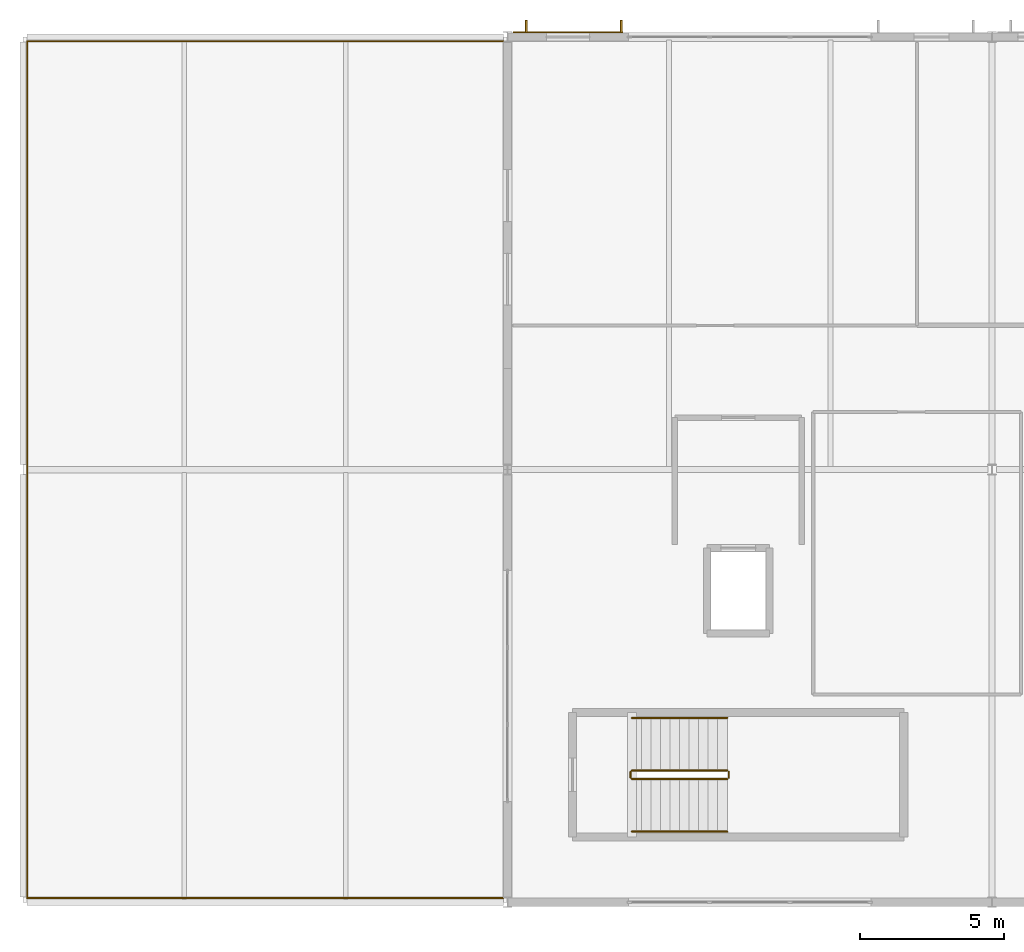
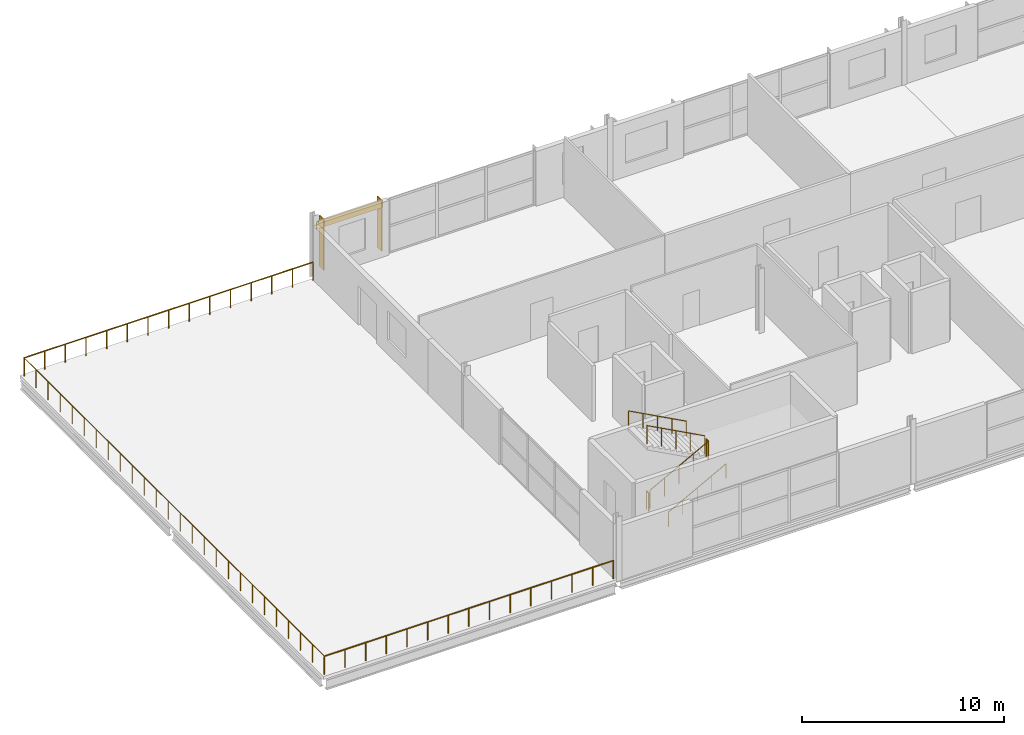
# One storey, part 16 of 18: 9 railings, 2 shading devices, 1 covering.
"""IFC4 building model written with IfcOpenShell, lengths in metres."""

from ifc_helpers import new_model, si_unit, direction, frame, origin, origin_2d, place, context, subcontext, project, spatial, rectangle, circle, extrude, material, layer, layer_set, type_object, element, save


model = new_model("IFC4")

# Units and contexts
model_context = context("Model", 3, precision=1e-05, world=origin(), true_north=direction((0.0, 1.0)))
body_context = subcontext(model_context, "Body", "Model", "MODEL_VIEW")
ifc_project = project(units=[si_unit("LENGTHUNIT", "METRE"), si_unit("AREAUNIT", "SQUARE_METRE"), si_unit("VOLUMEUNIT", "CUBIC_METRE"), si_unit("PLANEANGLEUNIT", "RADIAN"), si_unit("MASSUNIT", "GRAM", prefix="KILO")], contexts=[model_context])

# Site, building, storey
site_placement = place(None, origin())
site = spatial("IfcSite", under=ifc_project, at=site_placement, CompositionType="ELEMENT")
building_placement = place(site_placement, origin())
building = spatial("IfcBuilding", under=site, at=building_placement, Name="Kimbaza Rail Terminus", CompositionType="ELEMENT")
storey_placement = place(building_placement, frame((0.0, 0.0, 24.89990234375)))
storey = spatial("IfcBuildingStorey", under=building, at=storey_placement, Name="L05", CompositionType="ELEMENT", Elevation=24.89990234375)

# Covering
ifc_material_1 = material(Name="Champagne anodised aluminium spandrel cladding", Category="aluminium")
ifc_layer = layer(ifc_material_1, 0.034912109375)
ifc_layer_set = layer_set([ifc_layer], Name="Champagne anodised aluminium spandrel cladding")
covering_type = type_object("IfcCoveringType", Name="ARC-COV-CLD1", PredefinedType="CLADDING", material=ifc_layer_set)
covering_placement = place(storey_placement, frame((74.10009765625, 133.156005859375, 2.77490234375), z_axis=(0.0, 0.0, 1.0), x_axis=(1.0, 0.0, 0.0)))
element("IfcCovering", 1, at=covering_placement, inside=storey, type_object=covering_type, Name="North Spandrel Cladding L05 Bay 1", PredefinedType="CLADDING", context=body_context, shape_type="SweptSolid", body=[
    extrude(rectangle(XDim=3.800048828125, YDim=0.034912109375, at=origin_2d()), origin(), (0.0, 0.0, 1.0), 0.449951171875),
])

# Railings
ifc_material_2 = material(Name="Stainless steel and laminated glass balustrade", Category="steel")
railing_type_1 = type_object("IfcRailingType", Name="ARC-RL-GRD112", PredefinedType="GUARDRAIL", material=ifc_material_2)
railing_1_placement = place(storey_placement, frame((71.85009765625, 103.14990234375, 0.0)))
element("IfcRailing", 2, at=railing_1_placement, inside=storey, type_object=railing_type_1, Name="Safety Balustrade GRD-TER5-S", PredefinedType="GUARDRAIL", context=body_context, shape_type="SweptSolid", body=[
    extrude(circle(Radius=0.02392578125, at=origin_2d()), frame((0.0, 0.0, 1.09619140625), z_axis=(-1.0, 0.0, 0.0), x_axis=(0.0, -1.0, 0.0)), (0.0, 0.0, 1.0), 16.5),
    extrude(circle(Radius=0.02099609375, at=origin_2d()), origin(), (0.0, 0.0, 1.0), 1.072021484375),
    extrude(circle(Radius=0.02099609375, at=origin_2d()), frame((-1.178466796875, 0.0, 0.0)), (0.0, 0.0, 1.0), 1.072021484375),
    extrude(circle(Radius=0.02099609375, at=origin_2d()), frame((-2.357177734375, 0.0, 0.0)), (0.0, 0.0, 1.0), 1.072021484375),
    extrude(circle(Radius=0.02099609375, at=origin_2d()), frame((-3.53564453125, 0.0, 0.0)), (0.0, 0.0, 1.0), 1.072021484375),
    extrude(circle(Radius=0.02099609375, at=origin_2d()), frame((-4.71435546875, 0.0, 0.0)), (0.0, 0.0, 1.0), 1.072021484375),
    extrude(circle(Radius=0.02099609375, at=origin_2d()), frame((-5.892822265625, 0.0, 0.0)), (0.0, 0.0, 1.0), 1.072021484375),
    extrude(circle(Radius=0.02099609375, at=origin_2d()), frame((-7.071533203125, 0.0, 0.0)), (0.0, 0.0, 1.0), 1.072021484375),
    extrude(circle(Radius=0.02099609375, at=origin_2d()), frame((-8.25, 0.0, 0.0)), (0.0, 0.0, 1.0), 1.072021484375),
    extrude(circle(Radius=0.02099609375, at=origin_2d()), frame((-9.428466796875, 0.0, 0.0)), (0.0, 0.0, 1.0), 1.072021484375),
    extrude(circle(Radius=0.02099609375, at=origin_2d()), frame((-10.607177734375, 0.0, 0.0)), (0.0, 0.0, 1.0), 1.072021484375),
    extrude(circle(Radius=0.02099609375, at=origin_2d()), frame((-11.78564453125, 0.0, 0.0)), (0.0, 0.0, 1.0), 1.072021484375),
    extrude(circle(Radius=0.02099609375, at=origin_2d()), frame((-12.96435546875, 0.0, 0.0)), (0.0, 0.0, 1.0), 1.072021484375),
    extrude(circle(Radius=0.02099609375, at=origin_2d()), frame((-14.142822265625, 0.0, 0.0)), (0.0, 0.0, 1.0), 1.072021484375),
    extrude(circle(Radius=0.02099609375, at=origin_2d()), frame((-15.321533203125, 0.0, 0.0)), (0.0, 0.0, 1.0), 1.072021484375),
    extrude(circle(Radius=0.02099609375, at=origin_2d()), frame((-16.5, 0.0, 0.0)), (0.0, 0.0, 1.0), 1.072021484375),
])
railing_2_placement = place(storey_placement, frame((55.35009765625, 103.14990234375, 0.0)))
element("IfcRailing", 3, at=railing_2_placement, inside=storey, type_object=railing_type_1, Name="Safety Balustrade GRD-TER5-W", PredefinedType="GUARDRAIL", context=body_context, shape_type="SweptSolid", body=[
    extrude(circle(Radius=0.02392578125, at=origin_2d()), frame((0.0, 0.0, 1.09619140625), z_axis=(0.0, 1.0, 0.0), x_axis=(-1.0, 0.0, 0.0)), (0.0, 0.0, 1.0), 29.7001953125),
    extrude(circle(Radius=0.02099609375, at=origin_2d()), origin(), (0.0, 0.0, 1.0), 1.072021484375),
    extrude(circle(Radius=0.02099609375, at=origin_2d()), frame((0.0, 1.18798828125, 0.0)), (0.0, 0.0, 1.0), 1.072021484375),
    extrude(circle(Radius=0.02099609375, at=origin_2d()), frame((0.0, 2.3759765625, 0.0)), (0.0, 0.0, 1.0), 1.072021484375),
    extrude(circle(Radius=0.02099609375, at=origin_2d()), frame((0.0, 3.56396484375, 0.0)), (0.0, 0.0, 1.0), 1.072021484375),
    extrude(circle(Radius=0.02099609375, at=origin_2d()), frame((0.0, 4.751953125, 0.0)), (0.0, 0.0, 1.0), 1.072021484375),
    extrude(circle(Radius=0.02099609375, at=origin_2d()), frame((0.0, 5.93994140625, 0.0)), (0.0, 0.0, 1.0), 1.072021484375),
    extrude(circle(Radius=0.02099609375, at=origin_2d()), frame((0.0, 7.1279296875, 0.0)), (0.0, 0.0, 1.0), 1.072021484375),
    extrude(circle(Radius=0.02099609375, at=origin_2d()), frame((0.0, 8.316162109375, 0.0)), (0.0, 0.0, 1.0), 1.072021484375),
    extrude(circle(Radius=0.02099609375, at=origin_2d()), frame((0.0, 9.504150390625, 0.0)), (0.0, 0.0, 1.0), 1.072021484375),
    extrude(circle(Radius=0.02099609375, at=origin_2d()), frame((0.0, 10.692138671875, 0.0)), (0.0, 0.0, 1.0), 1.072021484375),
    extrude(circle(Radius=0.02099609375, at=origin_2d()), frame((0.0, 11.880126953125, 0.0)), (0.0, 0.0, 1.0), 1.072021484375),
    extrude(circle(Radius=0.02099609375, at=origin_2d()), frame((0.0, 13.068115234375, 0.0)), (0.0, 0.0, 1.0), 1.072021484375),
    extrude(circle(Radius=0.02099609375, at=origin_2d()), frame((0.0, 14.256103515625, 0.0)), (0.0, 0.0, 1.0), 1.072021484375),
    extrude(circle(Radius=0.02099609375, at=origin_2d()), frame((0.0, 15.444091796875, 0.0)), (0.0, 0.0, 1.0), 1.072021484375),
    extrude(circle(Radius=0.02099609375, at=origin_2d()), frame((0.0, 16.632080078125, 0.0)), (0.0, 0.0, 1.0), 1.072021484375),
    extrude(circle(Radius=0.02099609375, at=origin_2d()), frame((0.0, 17.820068359375, 0.0)), (0.0, 0.0, 1.0), 1.072021484375),
    extrude(circle(Radius=0.02099609375, at=origin_2d()), frame((0.0, 19.008056640625, 0.0)), (0.0, 0.0, 1.0), 1.072021484375),
    extrude(circle(Radius=0.02099609375, at=origin_2d()), frame((0.0, 20.196044921875, 0.0)), (0.0, 0.0, 1.0), 1.072021484375),
    extrude(circle(Radius=0.02099609375, at=origin_2d()), frame((0.0, 21.384033203125, 0.0)), (0.0, 0.0, 1.0), 1.072021484375),
    extrude(circle(Radius=0.02099609375, at=origin_2d()), frame((0.0, 22.572265625, 0.0)), (0.0, 0.0, 1.0), 1.072021484375),
    extrude(circle(Radius=0.02099609375, at=origin_2d()), frame((0.0, 23.76025390625, 0.0)), (0.0, 0.0, 1.0), 1.072021484375),
    extrude(circle(Radius=0.02099609375, at=origin_2d()), frame((0.0, 24.9482421875, 0.0)), (0.0, 0.0, 1.0), 1.072021484375),
    extrude(circle(Radius=0.02099609375, at=origin_2d()), frame((0.0, 26.13623046875, 0.0)), (0.0, 0.0, 1.0), 1.072021484375),
    extrude(circle(Radius=0.02099609375, at=origin_2d()), frame((0.0, 27.32421875, 0.0)), (0.0, 0.0, 1.0), 1.072021484375),
    extrude(circle(Radius=0.02099609375, at=origin_2d()), frame((0.0, 28.51220703125, 0.0)), (0.0, 0.0, 1.0), 1.072021484375),
    extrude(circle(Radius=0.02099609375, at=origin_2d()), frame((0.0, 29.7001953125, 0.0)), (0.0, 0.0, 1.0), 1.072021484375),
])
railing_3_placement = place(storey_placement, frame((55.35009765625, 132.85009765625, 0.0)))
element("IfcRailing", 4, at=railing_3_placement, inside=storey, type_object=railing_type_1, Name="Safety Balustrade GRD-TER5-N", PredefinedType="GUARDRAIL", context=body_context, shape_type="SweptSolid", body=[
    extrude(circle(Radius=0.02392578125, at=origin_2d()), frame((0.0, 0.0, 1.09619140625), z_axis=(1.0, 0.0, 0.0), x_axis=(0.0, 1.0, 0.0)), (0.0, 0.0, 1.0), 16.5),
    extrude(circle(Radius=0.02099609375, at=origin_2d()), origin(), (0.0, 0.0, 1.0), 1.072021484375),
    extrude(circle(Radius=0.02099609375, at=origin_2d()), frame((1.178466796875, 0.0, 0.0)), (0.0, 0.0, 1.0), 1.072021484375),
    extrude(circle(Radius=0.02099609375, at=origin_2d()), frame((2.357177734375, 0.0, 0.0)), (0.0, 0.0, 1.0), 1.072021484375),
    extrude(circle(Radius=0.02099609375, at=origin_2d()), frame((3.53564453125, 0.0, 0.0)), (0.0, 0.0, 1.0), 1.072021484375),
    extrude(circle(Radius=0.02099609375, at=origin_2d()), frame((4.71435546875, 0.0, 0.0)), (0.0, 0.0, 1.0), 1.072021484375),
    extrude(circle(Radius=0.02099609375, at=origin_2d()), frame((5.892822265625, 0.0, 0.0)), (0.0, 0.0, 1.0), 1.072021484375),
    extrude(circle(Radius=0.02099609375, at=origin_2d()), frame((7.071533203125, 0.0, 0.0)), (0.0, 0.0, 1.0), 1.072021484375),
    extrude(circle(Radius=0.02099609375, at=origin_2d()), frame((8.25, 0.0, 0.0)), (0.0, 0.0, 1.0), 1.072021484375),
    extrude(circle(Radius=0.02099609375, at=origin_2d()), frame((9.428466796875, 0.0, 0.0)), (0.0, 0.0, 1.0), 1.072021484375),
    extrude(circle(Radius=0.02099609375, at=origin_2d()), frame((10.607177734375, 0.0, 0.0)), (0.0, 0.0, 1.0), 1.072021484375),
    extrude(circle(Radius=0.02099609375, at=origin_2d()), frame((11.78564453125, 0.0, 0.0)), (0.0, 0.0, 1.0), 1.072021484375),
    extrude(circle(Radius=0.02099609375, at=origin_2d()), frame((12.96435546875, 0.0, 0.0)), (0.0, 0.0, 1.0), 1.072021484375),
    extrude(circle(Radius=0.02099609375, at=origin_2d()), frame((14.142822265625, 0.0, 0.0)), (0.0, 0.0, 1.0), 1.072021484375),
    extrude(circle(Radius=0.02099609375, at=origin_2d()), frame((15.321533203125, 0.0, 0.0)), (0.0, 0.0, 1.0), 1.072021484375),
    extrude(circle(Radius=0.02099609375, at=origin_2d()), frame((16.5, 0.0, 0.0)), (0.0, 0.0, 1.0), 1.072021484375),
])
ifc_material_3 = material(Name="Brushed stainless steel handrail", Category="steel")
railing_type_2 = type_object("IfcRailingType", Name="ARC-RL-HND92", PredefinedType="HANDRAIL", material=ifc_material_3)
railing_4_placement = place(storey_placement, frame((76.320068359375, 105.449951171875, 0.177490234375)))
element("IfcRailing", 5, at=railing_4_placement, inside=storey, type_object=railing_type_2, Name="L05 ST-W1 stair handrail 1", PredefinedType="HANDRAIL", context=body_context, shape_type="SweptSolid", body=[
    extrude(circle(Radius=0.02392578125, at=origin_2d()), frame((0.0, 0.0, 0.8759765625), z_axis=(0.880943614595, 0.0, 0.473221246251), x_axis=(0.0, 1.0, 0.0)), (0.0, 0.0, 1.0), 3.74609375),
    extrude(circle(Radius=0.02099609375, at=origin_2d()), origin(), (0.0, 0.0, 1.0), 0.851806640625),
    extrude(circle(Radius=0.02099609375, at=origin_2d()), frame((0.824951171875, 0.0, 0.443115234375)), (0.0, 0.0, 1.0), 0.851806640625),
    extrude(circle(Radius=0.02099609375, at=origin_2d()), frame((1.64990234375, 0.0, 0.88623046875)), (0.0, 0.0, 1.0), 0.851806640625),
    extrude(circle(Radius=0.02099609375, at=origin_2d()), frame((2.47509765625, 0.0, 1.32958984375)), (0.0, 0.0, 1.0), 0.851806640625),
    extrude(circle(Radius=0.02099609375, at=origin_2d()), frame((3.300048828125, 0.0, 1.772705078125)), (0.0, 0.0, 1.0), 0.851806640625),
])
railing_5_placement = place(storey_placement, frame((79.6201171875, 109.389892578125, 2.12744140625)))
element("IfcRailing", 6, at=railing_5_placement, inside=storey, type_object=railing_type_2, Name="L05 ST-W1 stair handrail 2", PredefinedType="HANDRAIL", context=body_context, shape_type="SweptSolid", body=[
    extrude(circle(Radius=0.02392578125, at=origin_2d()), frame((0.0, 0.0, 0.8759765625), z_axis=(-0.880943614595, 0.0, 0.473221246251), x_axis=(0.0, -1.0, 0.0)), (0.0, 0.0, 1.0), 3.74609375),
    extrude(circle(Radius=0.02099609375, at=origin_2d()), origin(), (0.0, 0.0, 1.0), 0.851806640625),
    extrude(circle(Radius=0.02099609375, at=origin_2d()), frame((-0.824951171875, 0.0, 0.443115234375)), (0.0, 0.0, 1.0), 0.851806640625),
    extrude(circle(Radius=0.02099609375, at=origin_2d()), frame((-1.64990234375, 0.0, 0.88623046875)), (0.0, 0.0, 1.0), 0.851806640625),
    extrude(circle(Radius=0.02099609375, at=origin_2d()), frame((-2.47509765625, 0.0, 1.32958984375)), (0.0, 0.0, 1.0), 0.851806640625),
    extrude(circle(Radius=0.02099609375, at=origin_2d()), frame((-3.300048828125, 0.0, 1.772705078125)), (0.0, 0.0, 1.0), 0.851806640625),
])
ifc_material_4 = material(Name="Painted tubular steel stair well guard", Category="steel")
railing_type_3 = type_object("IfcRailingType", Name="ARC-RL-STGRD", PredefinedType="GUARDRAIL", material=ifc_material_4)
railing_6_placement = place(storey_placement, frame((76.320068359375, 107.27001953125, 0.177490234375)))
element("IfcRailing", 7, at=railing_6_placement, inside=storey, type_object=railing_type_3, Name="L05 ST-W1 stair guard 1", PredefinedType="GUARDRAIL", context=body_context, shape_type="SweptSolid", body=[
    extrude(circle(Radius=0.02392578125, at=origin_2d()), frame((0.0, 0.0, 1.09619140625), z_axis=(0.880943614595, 0.0, 0.473221246251), x_axis=(0.0, 1.0, 0.0)), (0.0, 0.0, 1.0), 3.74609375),
    extrude(circle(Radius=0.02099609375, at=origin_2d()), origin(), (0.0, 0.0, 1.0), 1.072021484375),
    extrude(circle(Radius=0.02099609375, at=origin_2d()), frame((0.824951171875, 0.0, 0.443115234375)), (0.0, 0.0, 1.0), 1.072021484375),
    extrude(circle(Radius=0.02099609375, at=origin_2d()), frame((1.64990234375, 0.0, 0.88623046875)), (0.0, 0.0, 1.0), 1.072021484375),
    extrude(circle(Radius=0.02099609375, at=origin_2d()), frame((2.47509765625, 0.0, 1.32958984375)), (0.0, 0.0, 1.0), 1.072021484375),
    extrude(circle(Radius=0.02099609375, at=origin_2d()), frame((3.300048828125, 0.0, 1.772705078125)), (0.0, 0.0, 1.0), 1.072021484375),
])
railing_7_placement = place(storey_placement, frame((79.669921875, 107.320068359375, 1.9501953125)))
element("IfcRailing", 8, at=railing_7_placement, inside=storey, type_object=railing_type_3, Name="L05 ST-W1 stair guard 2", PredefinedType="GUARDRAIL", context=body_context, shape_type="SweptSolid", body=[
    extrude(circle(Radius=0.02392578125, at=origin_2d()), frame((0.0, 0.0, 1.09619140625), z_axis=(0.0, 1.0, 0.0), x_axis=(-1.0, 0.0, 0.0)), (0.0, 0.0, 1.0), 0.199951171875),
    extrude(circle(Radius=0.02099609375, at=origin_2d()), origin(), (0.0, 0.0, 1.0), 1.072021484375),
    extrude(circle(Radius=0.02099609375, at=origin_2d()), frame((0.0, 0.199951171875, 0.0)), (0.0, 0.0, 1.0), 1.072021484375),
])
railing_8_placement = place(storey_placement, frame((79.6201171875, 107.570068359375, 2.12744140625)))
element("IfcRailing", 9, at=railing_8_placement, inside=storey, type_object=railing_type_3, Name="L05 ST-W1 stair guard 3", PredefinedType="GUARDRAIL", context=body_context, shape_type="SweptSolid", body=[
    extrude(circle(Radius=0.02392578125, at=origin_2d()), frame((0.0, 0.0, 1.09619140625), z_axis=(-0.880943614595, 0.0, 0.473221246251), x_axis=(0.0, -1.0, 0.0)), (0.0, 0.0, 1.0), 3.74609375),
    extrude(circle(Radius=0.02099609375, at=origin_2d()), origin(), (0.0, 0.0, 1.0), 1.072021484375),
    extrude(circle(Radius=0.02099609375, at=origin_2d()), frame((-0.824951171875, 0.0, 0.443115234375)), (0.0, 0.0, 1.0), 1.072021484375),
    extrude(circle(Radius=0.02099609375, at=origin_2d()), frame((-1.64990234375, 0.0, 0.88623046875)), (0.0, 0.0, 1.0), 1.072021484375),
    extrude(circle(Radius=0.02099609375, at=origin_2d()), frame((-2.47509765625, 0.0, 1.32958984375)), (0.0, 0.0, 1.0), 1.072021484375),
    extrude(circle(Radius=0.02099609375, at=origin_2d()), frame((-3.300048828125, 0.0, 1.772705078125)), (0.0, 0.0, 1.0), 1.072021484375),
])
railing_9_placement = place(storey_placement, frame((76.27001953125, 107.320068359375, 0.0)))
element("IfcRailing", 10, at=railing_9_placement, inside=storey, type_object=railing_type_3, Name="L05 ST-W1 stair guard 4", PredefinedType="GUARDRAIL", context=body_context, shape_type="SweptSolid", body=[
    extrude(circle(Radius=0.02392578125, at=origin_2d()), frame((0.0, 0.0, 1.09619140625), z_axis=(0.0, 1.0, 0.0), x_axis=(-1.0, 0.0, 0.0)), (0.0, 0.0, 1.0), 0.199951171875),
    extrude(circle(Radius=0.02099609375, at=origin_2d()), origin(), (0.0, 0.0, 1.0), 1.072021484375),
    extrude(circle(Radius=0.02099609375, at=origin_2d()), frame((0.0, 0.199951171875, 0.0)), (0.0, 0.0, 1.0), 1.072021484375),
])

# Shading devices
ifc_material_5 = material(Name="Champagne anodised extruded aluminium", Category="aluminium")
shading_device_type = type_object("IfcShadingDeviceType", Name="ARC-SHD-FIN450", PredefinedType="USERDEFINED", material=ifc_material_5)
for number, where, z_axis, x_axis, name in (
    (11, (72.64990234375, 133.363037109375, 0.14990234375), (0.0, 0.0, 1.0), (1.0, 0.0, 0.0), "North Solar Fin L05 Bay 1.1"),
    (12, (75.949951171875, 133.363037109375, 0.14990234375), (0.0, 0.0, 1.0), (1.0, 0.0, 0.0), "North Solar Fin L05 Bay 1.2"),
):
    element("IfcShadingDevice", number, at=place(storey_placement, frame(where, z_axis=z_axis, x_axis=x_axis)), inside=storey, type_object=shading_device_type, Name=name, ObjectType="BRISE SOLEIL FIN", PredefinedType="USERDEFINED", context=body_context, shape_type="SweptSolid", body=[
        extrude(rectangle(XDim=0.06494140625, YDim=0.449951171875, at=origin_2d()), origin(), (0.0, 0.0, 1.0), 3.050048828125),
    ])

save(model, "model.ifc")
